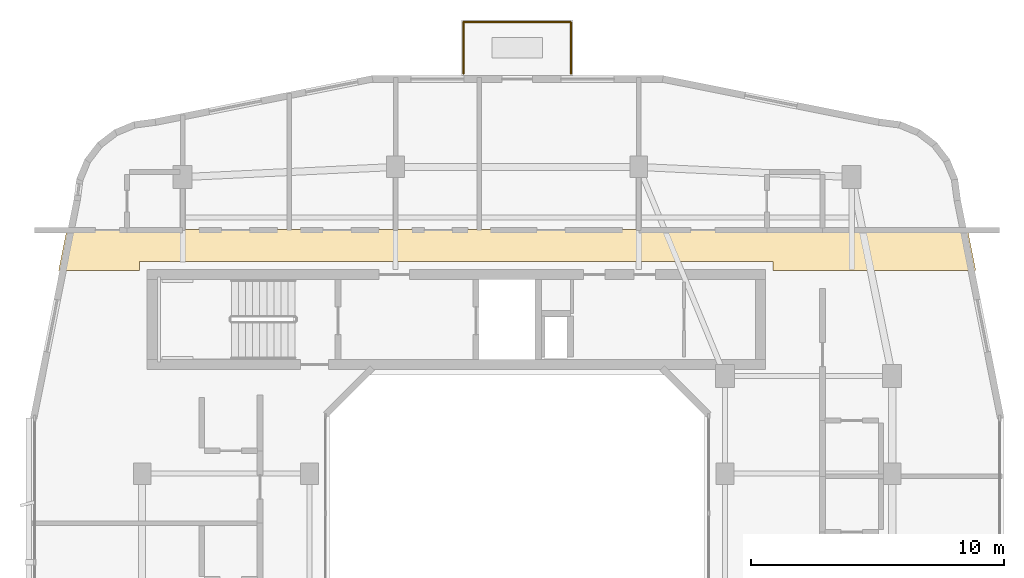
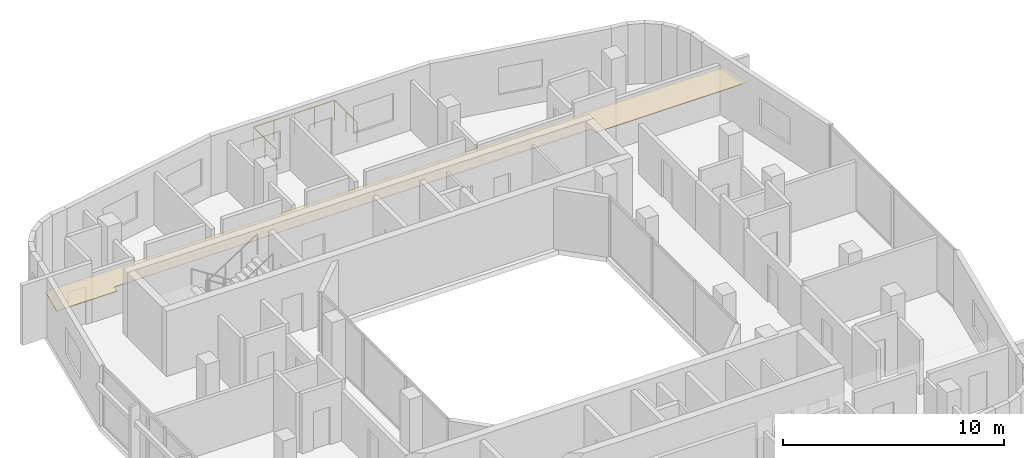
# One storey, part 13 of 13: 3 railings, 1 covering.
"""IFC4 building model written with IfcOpenShell, lengths in metres."""

from ifc_helpers import new_model, si_unit, derived_unit, direction, frame, origin, origin_2d, place, context, subcontext, project, spatial, polyline, circle, outline, extrude, material, layer, layer_set, type_object, element, save


model = new_model("IFC4")

# Units and contexts
model_context = context("Model", 3, precision=1e-05, world=origin(), true_north=direction((0.0, 1.0)))
body_context = subcontext(model_context, "Body", "Model", "MODEL_VIEW")
ifc_project = project(units=[si_unit("LENGTHUNIT", "METRE"), si_unit("AREAUNIT", "SQUARE_METRE"), si_unit("VOLUMEUNIT", "CUBIC_METRE"), si_unit("PLANEANGLEUNIT", "RADIAN"), si_unit("MASSUNIT", "GRAM", prefix="KILO"), derived_unit("THERMALTRANSMITTANCEUNIT", [(si_unit("POWERUNIT", "WATT"), 1), (si_unit("LENGTHUNIT", "METRE"), -2), (si_unit("THERMODYNAMICTEMPERATUREUNIT", "KELVIN"), -1)])], contexts=[model_context])

# Site, building, storey
site_placement = place(None, origin())
site = spatial("IfcSite", under=ifc_project, at=site_placement, CompositionType="ELEMENT")
building_placement = place(site_placement, origin())
building = spatial("IfcBuilding", under=site, at=building_placement, Name="Kivonza Crest Hotel", CompositionType="ELEMENT")
storey_placement = place(building_placement, frame((0.0, 0.0, 231.5)))
storey = spatial("IfcBuildingStorey", under=building, at=storey_placement, Name="L63", CompositionType="ELEMENT", Elevation=231.5)

# Covering
ifc_material_1 = material(Name="Moisture-resistant gypsum plasterboard ceiling", Category="gypsum")
ifc_layer = layer(ifc_material_1, 0.030029296875)
ifc_layer_set = layer_set([ifc_layer], Name="Moisture-resistant gypsum plasterboard ceiling")
covering_type = type_object("IfcCoveringType", Name="CV-CEIL-GYP", PredefinedType="CEILING", material=ifc_layer_set)
covering_placement = place(storey_placement, frame((0.0, 0.0, 2.449951171875)))
element("IfcCovering", 1, at=covering_placement, inside=storey, type_object=covering_type, Name="L63 Hotel North Guest Corridor suspended ceiling", PredefinedType="CEILING", context=body_context, shape_type="SweptSolid", body=[
    extrude(outline(polyline([(3.22802734375, 38.139892578125), (2.906005859375, 36.52001953125), (6.10009765625, 36.52001953125), (6.10009765625, 36.860107421875), (31.10009765625, 36.860107421875), (31.10009765625, 36.52001953125), (39.093994140625, 36.52001953125), (38.77197265625, 38.139892578125), (3.22802734375, 38.139892578125)])), origin(), (0.0, 0.0, 1.0), 0.030029296875),
])

# Railings
ifc_material_2 = material(Name="Laminated glass and stainless steel balustrade", Category="steel")
railing_type = type_object("IfcRailingType", Name="RL-TERR-1150", PredefinedType="BALUSTRADE", material=ifc_material_2)
railing_1_placement = place(storey_placement, frame((18.8798828125, 44.280029296875, 0.0)))
element("IfcRailing", 2, at=railing_1_placement, inside=storey, type_object=railing_type, Name="L63 T1-L63-SG-NE perimeter safety balustrade 1", PredefinedType="BALUSTRADE", context=body_context, shape_type="SweptSolid", body=[
    extrude(circle(Radius=0.02392578125, at=origin_2d()), frame((0.0, 0.0, 1.1259765625), z_axis=(0.0, 1.0, 0.0), x_axis=(-1.0, 0.0, 0.0)), (0.0, 0.0, 1.0), 2.0400390625),
    extrude(circle(Radius=0.02099609375, at=origin_2d()), origin(), (0.0, 0.0, 1.0), 1.101806640625),
    extrude(circle(Radius=0.02099609375, at=origin_2d()), frame((0.0, 1.02001953125, 0.0)), (0.0, 0.0, 1.0), 1.101806640625),
    extrude(circle(Radius=0.02099609375, at=origin_2d()), frame((0.0, 2.0400390625, 0.0)), (0.0, 0.0, 1.0), 1.101806640625),
])
railing_2_placement = place(storey_placement, frame((18.8798828125, 46.320068359375, 0.0)))
element("IfcRailing", 3, at=railing_2_placement, inside=storey, type_object=railing_type, Name="L63 T1-L63-SG-NE perimeter safety balustrade 2", PredefinedType="BALUSTRADE", context=body_context, shape_type="SweptSolid", body=[
    extrude(circle(Radius=0.02392578125, at=origin_2d()), frame((0.0, 0.0, 1.1259765625), z_axis=(1.0, 0.0, 0.0), x_axis=(0.0, 1.0, 0.0)), (0.0, 0.0, 1.0), 4.240234375),
    extrude(circle(Radius=0.02099609375, at=origin_2d()), origin(), (0.0, 0.0, 1.0), 1.101806640625),
    extrude(circle(Radius=0.02099609375, at=origin_2d()), frame((1.06005859375, 0.0, 0.0)), (0.0, 0.0, 1.0), 1.101806640625),
    extrude(circle(Radius=0.02099609375, at=origin_2d()), frame((2.1201171875, 0.0, 0.0)), (0.0, 0.0, 1.0), 1.101806640625),
    extrude(circle(Radius=0.02099609375, at=origin_2d()), frame((3.18017578125, 0.0, 0.0)), (0.0, 0.0, 1.0), 1.101806640625),
    extrude(circle(Radius=0.02099609375, at=origin_2d()), frame((4.240234375, 0.0, 0.0)), (0.0, 0.0, 1.0), 1.101806640625),
])
railing_3_placement = place(storey_placement, frame((23.1201171875, 46.320068359375, 0.0)))
element("IfcRailing", 4, at=railing_3_placement, inside=storey, type_object=railing_type, Name="L63 T1-L63-SG-NE perimeter safety balustrade 3", PredefinedType="BALUSTRADE", context=body_context, shape_type="SweptSolid", body=[
    extrude(circle(Radius=0.02392578125, at=origin_2d()), frame((0.0, 0.0, 1.1259765625), z_axis=(0.0, -1.0, 0.0), x_axis=(1.0, 0.0, 0.0)), (0.0, 0.0, 1.0), 2.0400390625),
    extrude(circle(Radius=0.02099609375, at=origin_2d()), origin(), (0.0, 0.0, 1.0), 1.101806640625),
    extrude(circle(Radius=0.02099609375, at=origin_2d()), frame((0.0, -1.02001953125, 0.0)), (0.0, 0.0, 1.0), 1.101806640625),
    extrude(circle(Radius=0.02099609375, at=origin_2d()), frame((0.0, -2.0400390625, 0.0)), (0.0, 0.0, 1.0), 1.101806640625),
])

save(model, "model.ifc")
